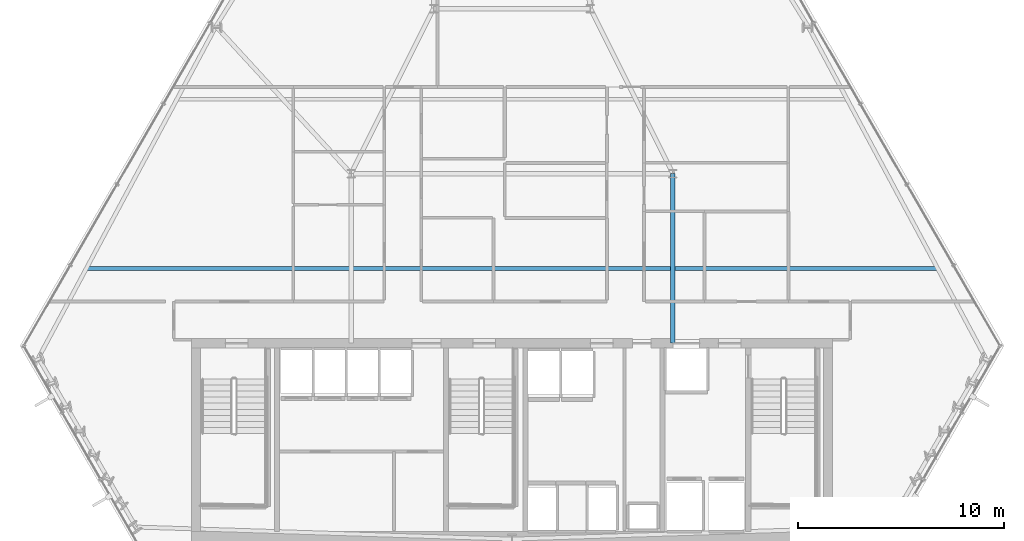
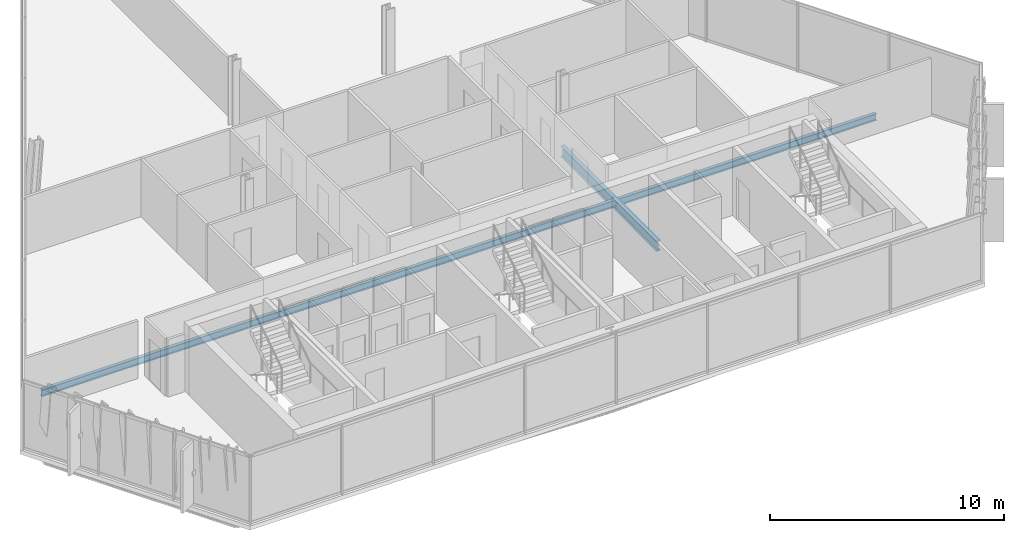
# One storey, part 10 of 32: 2 beams.
"""IFC4 building model written with IfcOpenShell, lengths in metres."""

from ifc_helpers import new_model, si_unit, direction, frame, origin, origin_2d, place, context, subcontext, project, spatial, i_section, extrude, material, material_profile, profile_set, type_object, element, save


model = new_model("IFC4")

# Units and contexts
model_context = context("Model", 3, precision=1e-05, world=origin(), true_north=direction((0.0, 1.0)))
body_context = subcontext(model_context, "Body", "Model", "MODEL_VIEW")
ifc_project = project(units=[si_unit("LENGTHUNIT", "METRE"), si_unit("AREAUNIT", "SQUARE_METRE"), si_unit("VOLUMEUNIT", "CUBIC_METRE"), si_unit("PLANEANGLEUNIT", "RADIAN"), si_unit("MASSUNIT", "GRAM", prefix="KILO")], contexts=[model_context])

# Site, building, storey
site_placement = place(None, origin())
site = spatial("IfcSite", under=ifc_project, at=site_placement, CompositionType="ELEMENT")
building_placement = place(site_placement, origin())
building = spatial("IfcBuilding", under=site, at=building_placement, Name="Ndaravel Arena Tower", CompositionType="ELEMENT")
storey_placement = place(building_placement, frame((0.0, 0.0, 157.39990234375)))
storey = spatial("IfcBuildingStorey", under=building, at=storey_placement, Name="L37", CompositionType="ELEMENT", Elevation=157.39990234375)

# Beams
ifc_material_1 = material(Name="Steel S355", Category="steel")
ifc_material_profile_1 = material_profile(ifc_material_1, i_section(OverallWidth=0.210693359375, OverallDepth=0.53955078125, WebThickness=0.01171875, FlangeThickness=0.018798828125, FilletRadius=0.0126953125, at=origin_2d()), Name="UB 533x210x109")
ifc_profile_set_1 = profile_set([ifc_material_profile_1], Name="Steel S355")
beam_type_1 = type_object("IfcBeamType", Name="BM-GIRD-UB533", PredefinedType="BEAM", material=ifc_profile_set_1)
beam_1_placement = place(storey_placement, frame((49.800048828125, 14.97998046875, -0.489501953125), z_axis=(0.0, 1.0, 0.0), x_axis=(-1.0, 0.0, 0.0)))
element("IfcBeam", 1, at=beam_1_placement, inside=storey, type_object=beam_type_1, Name="L37 Spine Link Girder SLG-02", PredefinedType="BEAM", context=body_context, shape_type="SweptSolid", body=[
    extrude(i_section(OverallWidth=0.210693359375, OverallDepth=0.53955078125, WebThickness=0.01171875, FlangeThickness=0.018798828125, FilletRadius=0.0126953125, at=origin_2d()), origin(), (0.0, 0.0, 1.0), 8.219970703125),
])
ifc_material_2 = material(Name="Steel S355", Category="steel")
ifc_material_profile_2 = material_profile(ifc_material_2, i_section(OverallWidth=0.172119140625, OverallDepth=0.35791015625, WebThickness=0.008056640625, FlangeThickness=0.012939453125, FilletRadius=0.01025390625, at=origin_2d()), Name="UB 356x171x57")
ifc_profile_set_2 = profile_set([ifc_material_profile_2], Name="Steel S355")
beam_type_2 = type_object("IfcBeamType", Name="BM-JOIST-UB356", PredefinedType="JOIST", material=ifc_profile_set_2)
beam_2_placement = place(storey_placement, frame((21.36279296875, 18.60009765625, -0.39892578125), z_axis=(1.0, 0.0, 0.0), x_axis=(0.0, 1.0, 0.0)))
element("IfcBeam", 2, at=beam_2_placement, inside=storey, type_object=beam_type_2, Name="L37 Composite Floor Joist FJ-01", PredefinedType="JOIST", context=body_context, shape_type="SweptSolid", body=[
    extrude(i_section(OverallWidth=0.172119140625, OverallDepth=0.35791015625, WebThickness=0.008056640625, FlangeThickness=0.012939453125, FilletRadius=0.01025390625, at=origin_2d()), origin(), (0.0, 0.0, 1.0), 41.2744140625),
])

save(model, "model.ifc")
